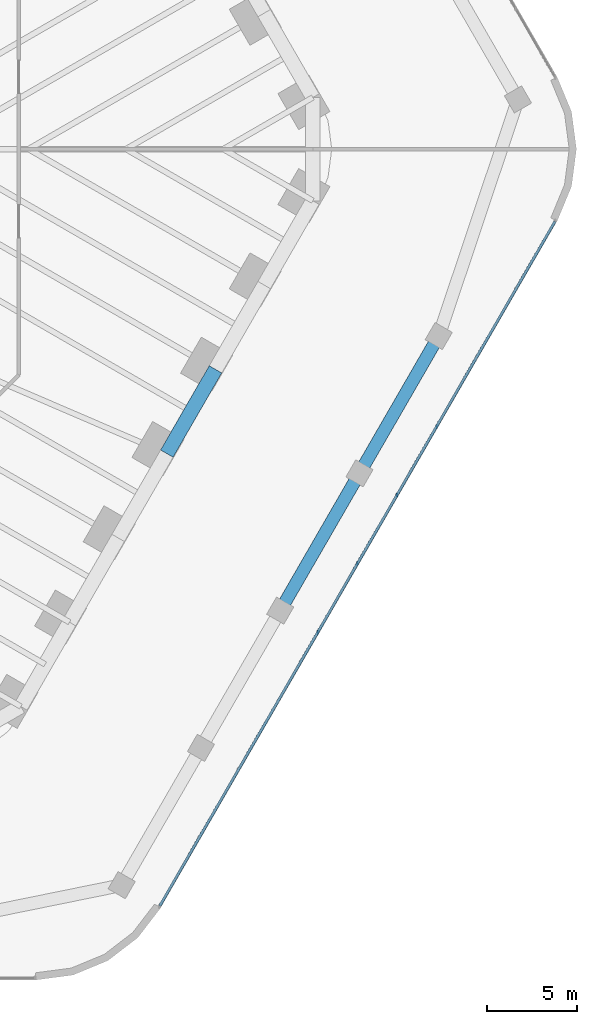
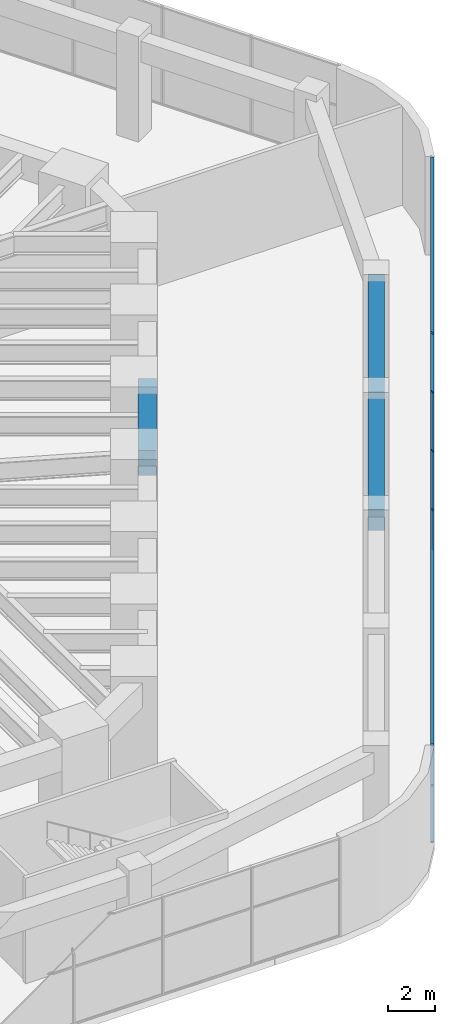
# One storey, part 12 of 31: 7 members, 3 beams, 1 element without a shape of its own.
"""IFC4 building model written with IfcOpenShell, lengths in metres."""

from ifc_helpers import new_model, si_unit, direction, frame, origin, origin_2d, place, context, subcontext, project, spatial, rectangle, extrude, material, material_profile, profile_set, type_object, element, aggregate, save


model = new_model("IFC4")

# Units and contexts
model_context = context("Model", 3, precision=1e-05, world=origin(), true_north=direction((0.0, 1.0)))
body_context = subcontext(model_context, "Body", "Model", "MODEL_VIEW")
ifc_project = project(units=[si_unit("LENGTHUNIT", "METRE"), si_unit("AREAUNIT", "SQUARE_METRE"), si_unit("VOLUMEUNIT", "CUBIC_METRE"), si_unit("PLANEANGLEUNIT", "RADIAN"), si_unit("MASSUNIT", "GRAM", prefix="KILO")], contexts=[model_context])

# Site, building, storey
site_placement = place(None, origin())
site = spatial("IfcSite", under=ifc_project, at=site_placement, CompositionType="ELEMENT")
building_placement = place(site_placement, origin())
building = spatial("IfcBuilding", under=site, at=building_placement, Name="Tarfa Lantern Tower", CompositionType="ELEMENT")
storey_placement = place(building_placement, frame((0.0, 0.0, 13.0)))
storey = spatial("IfcBuildingStorey", under=building, at=storey_placement, Name="L02", CompositionType="ELEMENT", Elevation=13.0)

# Curtain wall, members
ifc_material_1 = material(Name="Aluminium framed curtain wall", Category="aluminium")
curtain_wall_type = type_object("IfcCurtainWallType", Name="CW7 PODIUM GLAZING 5150", PredefinedType="USERDEFINED", material=ifc_material_1)
curtain_wall_placement = place(storey_placement, origin())
curtain_wall = element("IfcCurtainWall", 1, at=curtain_wall_placement, inside=storey, type_object=curtain_wall_type, Name="CW7 SE L02", ObjectType="CURTAIN WALL", PredefinedType="USERDEFINED")
ifc_material_2 = material(Name="Aluminium mullion", Category="aluminium")
ifc_material_profile_1 = material_profile(ifc_material_2, rectangle(XDim=0.06494140625, YDim=0.199951171875, at=origin_2d()), Name="AL MULLION 65x200")
ifc_profile_set_1 = profile_set([ifc_material_profile_1], Name="Aluminium mullion")
member_type_1 = type_object("IfcMemberType", Name="CWM1 MULLION 65x200", PredefinedType="MULLION", material=ifc_profile_set_1)
member_1_placement = place(storey_placement, frame((37.556640625, -26.75, 0.0), z_axis=(0.0, 0.0, 1.0), x_axis=(1.0, 0.0, 0.0)))
member_1 = element("IfcMember", 2, at=member_1_placement, type_object=member_type_1, Name="CW7 mullion 5", PredefinedType="MULLION", context=body_context, shape_type="SweptSolid", body=[
    extrude(rectangle(XDim=0.06494140625, YDim=0.199951171875, at=origin_2d()), origin(), (0.0, 0.0, 1.0), 5.14990234375),
])
member_2_placement = place(storey_placement, frame((39.75048828125, -22.949951171875, 0.0), z_axis=(0.0, 0.0, 1.0), x_axis=(1.0, 0.0, 0.0)))
member_2 = element("IfcMember", 3, at=member_2_placement, type_object=member_type_1, Name="CW7 mullion 6", PredefinedType="MULLION", context=body_context, shape_type="SweptSolid", body=[
    extrude(rectangle(XDim=0.06494140625, YDim=0.199951171875, at=origin_2d()), origin(), (0.0, 0.0, 1.0), 5.14990234375),
])
member_3_placement = place(storey_placement, frame((41.944580078125, -19.14990234375, 0.0), z_axis=(0.0, 0.0, 1.0), x_axis=(1.0, 0.0, 0.0)))
member_3 = element("IfcMember", 4, at=member_3_placement, type_object=member_type_1, Name="CW7 mullion 7", PredefinedType="MULLION", context=body_context, shape_type="SweptSolid", body=[
    extrude(rectangle(XDim=0.06494140625, YDim=0.199951171875, at=origin_2d()), origin(), (0.0, 0.0, 1.0), 5.14990234375),
])
member_4_placement = place(storey_placement, frame((44.138427734375, -15.35009765625, 0.0), z_axis=(0.0, 0.0, 1.0), x_axis=(1.0, 0.0, 0.0)))
member_4 = element("IfcMember", 5, at=member_4_placement, type_object=member_type_1, Name="CW7 mullion 8", PredefinedType="MULLION", context=body_context, shape_type="SweptSolid", body=[
    extrude(rectangle(XDim=0.06494140625, YDim=0.199951171875, at=origin_2d()), origin(), (0.0, 0.0, 1.0), 5.14990234375),
])
ifc_material_3 = material(Name="Aluminium transom", Category="aluminium")
ifc_material_profile_2 = material_profile(ifc_material_3, rectangle(XDim=0.14990234375, YDim=0.06494140625, at=origin_2d()), Name="AL TRANSOM 150x65")
ifc_profile_set_2 = profile_set([ifc_material_profile_2], Name="Aluminium transom")
member_type_2 = type_object("IfcMemberType", Name="CWT1 TRANSOM 150x65", PredefinedType="USERDEFINED", material=ifc_profile_set_2)
member_5_placement = place(storey_placement, frame((28.8134765625, -41.893798828125, 0.032470703125), z_axis=(0.499998927597, 0.866026022936, 0.0), x_axis=(-0.866026022936, 0.499998927597, 0.0)))
member_5 = element("IfcMember", 6, at=member_5_placement, type_object=member_type_2, Name="CW7 transom 1.1", ObjectType="TRANSOM", PredefinedType="USERDEFINED", context=body_context, shape_type="SweptSolid", body=[
    extrude(rectangle(XDim=0.14990234375, YDim=0.06494140625, at=origin_2d()), origin(), (0.0, 0.0, 1.0), 43.74853515625),
])
member_6_placement = place(storey_placement, frame((28.8134765625, -41.893798828125, 3.0), z_axis=(0.499998927597, 0.866026022936, 0.0), x_axis=(-0.866026022936, 0.499998927597, 0.0)))
member_6 = element("IfcMember", 7, at=member_6_placement, type_object=member_type_2, Name="CW7 transom 1.2", ObjectType="TRANSOM", PredefinedType="USERDEFINED", context=body_context, shape_type="SweptSolid", body=[
    extrude(rectangle(XDim=0.14990234375, YDim=0.06494140625, at=origin_2d()), origin(), (0.0, 0.0, 1.0), 43.74853515625),
])
member_7_placement = place(storey_placement, frame((28.8134765625, -41.893798828125, 5.117431640625), z_axis=(0.499998927597, 0.866026022936, 0.0), x_axis=(-0.866026022936, 0.499998927597, 0.0)))
member_7 = element("IfcMember", 8, at=member_7_placement, type_object=member_type_2, Name="CW7 transom 1.3", ObjectType="TRANSOM", PredefinedType="USERDEFINED", context=body_context, shape_type="SweptSolid", body=[
    extrude(rectangle(XDim=0.14990234375, YDim=0.06494140625, at=origin_2d()), origin(), (0.0, 0.0, 1.0), 43.74853515625),
])
aggregate(curtain_wall, [member_1, member_2, member_3, member_4, member_5, member_6, member_7])

# Beams
ifc_material_4 = material(Name="Concrete C80/95", Category="concrete")
ifc_material_profile_3 = material_profile(ifc_material_4, rectangle(XDim=0.800048828125, YDim=1.300048828125, at=origin_2d()), Name="RC 800x1300")
ifc_profile_set_3 = profile_set([ifc_material_profile_3], Name="Concrete C80/95")
beam_type_1 = type_object("IfcBeamType", Name="EB1 RC 800x1300", PredefinedType="SPANDREL", material=ifc_profile_set_3)
beam_placement = place(storey_placement, frame((29.202392578125, -16.860107421875, 4.5), z_axis=(0.499998287579, 0.866026392449, 0.0), x_axis=(-0.866026392449, 0.499998287579, 0.0)))
element("IfcBeam", 9, at=beam_placement, inside=storey, type_object=beam_type_1, Name="Edge beam SE3", PredefinedType="SPANDREL", context=body_context, shape_type="SweptSolid", body=[
    extrude(rectangle(XDim=0.800048828125, YDim=1.300048828125, at=origin_2d()), origin(), (0.0, 0.0, 1.0), 5.388671875),
])
ifc_material_profile_4 = material_profile(ifc_material_4, rectangle(XDim=0.699951171875, YDim=1.10009765625, at=origin_2d()), Name="RC 700x1100")
ifc_profile_set_4 = profile_set([ifc_material_profile_4], Name="Concrete C80/95")
beam_type_2 = type_object("IfcBeamType", Name="PB1 RC 700x1100", PredefinedType="BEAM", material=ifc_profile_set_4)
for number, where, z_axis, x_axis, name in (
    (10, (35.478271484375, -25.550048828125, 4.60009765625), (0.499980931779, 0.866036412547, 0.0), (-0.866036412547, 0.499980931779, 0.0), "Podium ring beam SE2"),
    (11, (39.865966796875, -17.949951171875, 4.60009765625), (0.500013843384, 0.866017411155, 0.0), (-0.866017411155, 0.500013843384, 0.0), "Podium ring beam SE3"),
):
    element("IfcBeam", number, at=place(storey_placement, frame(where, z_axis=z_axis, x_axis=x_axis)), inside=storey, type_object=beam_type_2, Name=name, PredefinedType="BEAM", context=body_context, shape_type="SweptSolid", body=[
        extrude(rectangle(XDim=0.699951171875, YDim=1.10009765625, at=origin_2d()), origin(), (0.0, 0.0, 1.0), 8.775634765625),
    ])

save(model, "model.ifc")
